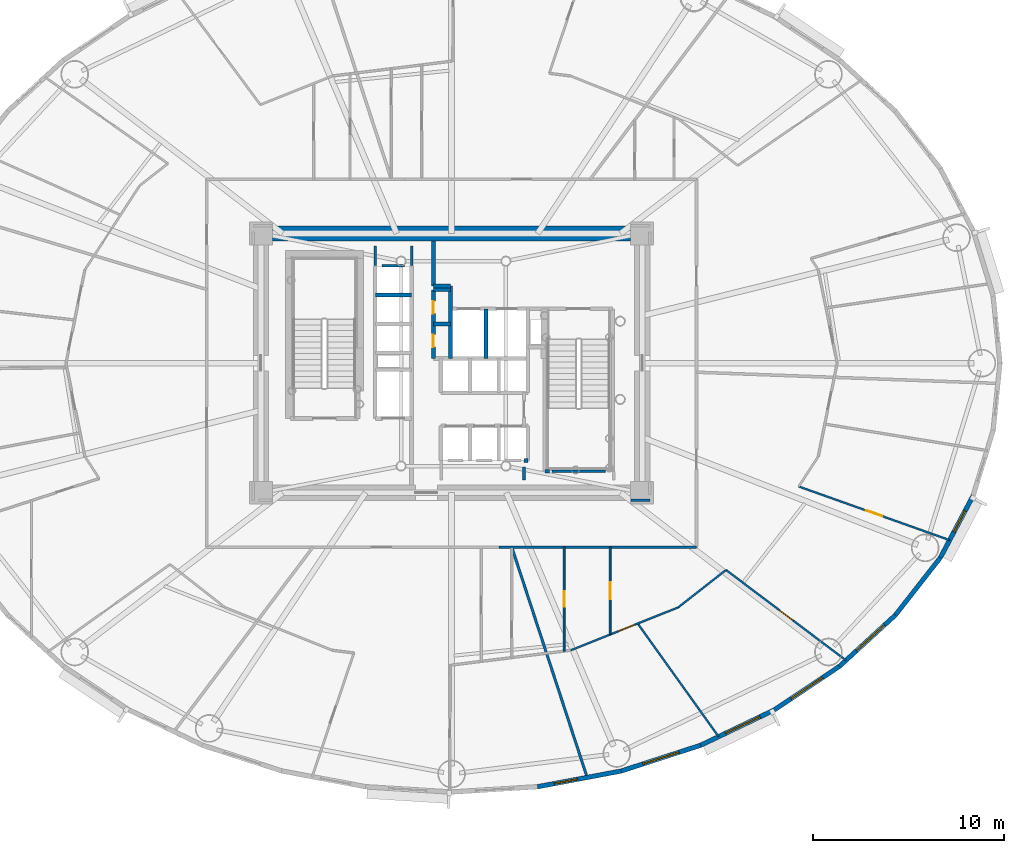
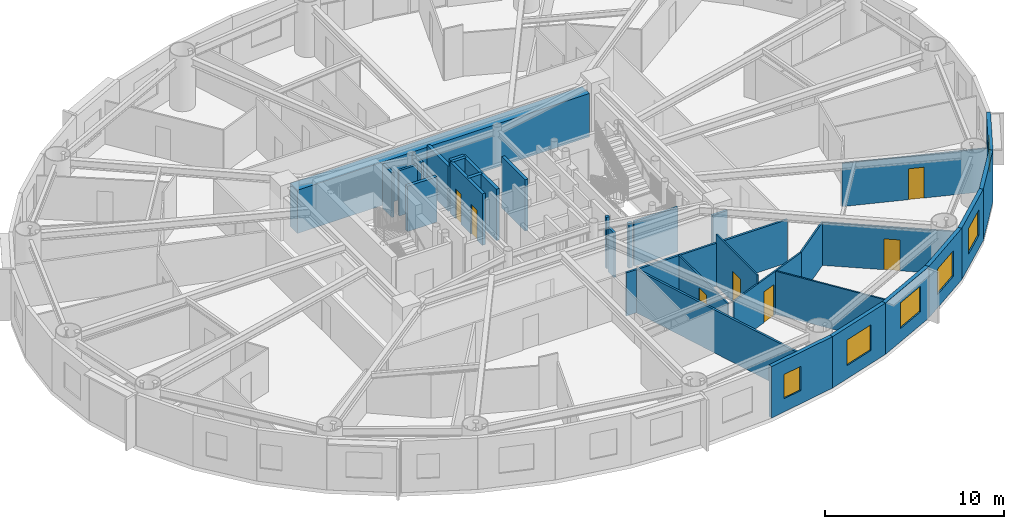
# One storey, part 8 of 16: 33 walls, 7 doors, 6 windows, 13 openings.
"""IFC4 building model written with IfcOpenShell, lengths in metres."""

from ifc_helpers import new_model, si_unit, direction, frame, frame_2d, origin, origin_2d, place, context, subcontext, project, spatial, rectangle, extrude, source, transform, mapped, material, layer, layer_set, type_object, element, fill, save


model = new_model("IFC4")

# Units and contexts
model_context = context("Model", 3, precision=1e-05, world=origin(), true_north=direction((0.0, 1.0)))
body_context = subcontext(model_context, "Body", "Model", "MODEL_VIEW")
ifc_project = project(units=[si_unit("LENGTHUNIT", "METRE"), si_unit("AREAUNIT", "SQUARE_METRE"), si_unit("VOLUMEUNIT", "CUBIC_METRE"), si_unit("PLANEANGLEUNIT", "RADIAN"), si_unit("MASSUNIT", "GRAM", prefix="KILO")], contexts=[model_context])

# Site, building, storey
site_placement = place(None, origin())
site = spatial("IfcSite", under=ifc_project, at=site_placement, CompositionType="ELEMENT")
building_placement = place(site_placement, origin())
building = spatial("IfcBuilding", under=site, at=building_placement, Name="Linh Dai School and Residence Tower", CompositionType="ELEMENT")
storey_placement = place(building_placement, frame((0.0, 0.0, 108.449951171875)))
storey = spatial("IfcBuildingStorey", under=building, at=storey_placement, Name="L25", CompositionType="ELEMENT", Elevation=108.449951171875)

# Wall, opening, window
ifc_material_1 = material(Name="Precast Concrete B45 (C35/45)", Category="concrete")
ifc_layer_1 = layer(ifc_material_1, 0.239990234375)
ifc_layer_set_1 = layer_set([ifc_layer_1], Name="Precast Concrete B45 (C35/45)")
wall_type_1 = type_object("IfcWallType", Name="EW-TC-240", PredefinedType="SOLIDWALL", material=ifc_layer_set_1)
wall_1_placement = place(storey_placement, frame((44.899658203125, 5.5986328125, 0.0), z_axis=(0.0, 0.0, 1.0), x_axis=(-0.982789252177, -0.184730305596, 0.0)))
wall_1 = element("IfcWall", 1, at=wall_1_placement, inside=storey, type_object=wall_type_1, Name="L25 Terracotta Exterior Wall 32", PredefinedType="SOLIDWALL", context=body_context, shape_type="SweptSolid", body=[
    extrude(rectangle(XDim=4.470947265625, YDim=0.239990234375, at=frame_2d((2.2353515625, 0.0))), origin(), (0.0, 0.0, 1.0), 3.5),
])
opening_1_placement = place(wall_1_placement, frame((2.332763671875, 0.0, 0.89990234375)))
opening_1 = element("IfcOpeningElement", 2, at=opening_1_placement, cuts=wall_1, Name="Opening W3", PredefinedType="OPENING", context=body_context, shape_type="SweptSolid", body=[
    extrude(rectangle(XDim=1.25, YDim=1.64990234375, at=origin_2d()), frame((0.625, 0.1298828125, 0.824951171875), z_axis=(0.0, -1.0, 0.0), x_axis=(1.0, 0.0, 0.0)), (0.0, 0.0, 1.0), 0.260009765625),
])
ifc_material_2 = material(Name="Double Low-E Insulated Glazing", Category="glass")
window_type_1 = type_object("IfcWindowType", Name="WN-RES-1250x1650", PartitioningType="SINGLE_PANEL", PredefinedType="WINDOW", material=ifc_material_2)
shared_shape_1 = source(origin(), body_context, "Body", "SweptSolid", [
    extrude(rectangle(XDim=1.25, YDim=1.64990234375, at=origin_2d()), frame((0.625, 0.030029296875, 0.824951171875), z_axis=(0.0, -1.0, 0.0), x_axis=(1.0, 0.0, 0.0)), (0.0, 0.0, 1.0), 0.06005859375),
])
window_1_placement = place(opening_1_placement, origin())
window_1 = element("IfcWindow", 3, at=window_1_placement, inside=storey, type_object=window_type_1, Name="L25 Exterior Window 32.1", OverallHeight=1.64990234375, OverallWidth=1.25, PartitioningType="SINGLE_PANEL", PredefinedType="WINDOW", context=body_context, shape_type="MappedRepresentation", body=[
    mapped(shared_shape_1, transform((0.0, 0.0, 0.0), x_axis=(1.0, 0.0, 0.0), y_axis=(0.0, 1.0, 0.0), z_axis=(0.0, 0.0, 1.0), scale=1.0)),
])
fill(opening_1, window_1)

wall_2_placement = place(storey_placement, frame((49.073974609375, 6.95263671875, 0.0), z_axis=(0.0, 0.0, 1.0), x_axis=(-0.951211346073, -0.308540070495, 0.0)))
wall_2 = element("IfcWall", 4, at=wall_2_placement, inside=storey, type_object=wall_type_1, Name="L25 Terracotta Exterior Wall 33", PredefinedType="SOLIDWALL", context=body_context, shape_type="SweptSolid", body=[
    extrude(rectangle(XDim=4.388427734375, YDim=0.239990234375, at=frame_2d((2.1943359375, 0.0))), origin(), (0.0, 0.0, 1.0), 3.5),
])
opening_2_placement = place(wall_2_placement, frame((1.1943359375, 0.0, 0.89990234375)))
opening_2 = element("IfcOpeningElement", 5, at=opening_2_placement, cuts=wall_2, Name="Opening W1", PredefinedType="OPENING", context=body_context, shape_type="SweptSolid", body=[
    extrude(rectangle(XDim=2.0, YDim=1.75, at=origin_2d()), frame((1.0, 0.1298828125, 0.875), z_axis=(0.0, -1.0, 0.0), x_axis=(1.0, 0.0, 0.0)), (0.0, 0.0, 1.0), 0.260009765625),
])
window_type_2 = type_object("IfcWindowType", Name="WN-RES-2000x1750", PartitioningType="DOUBLE_PANEL_VERTICAL", PredefinedType="WINDOW", material=ifc_material_2)
shared_shape_2 = source(origin(), body_context, "Body", "SweptSolid", [
    extrude(rectangle(XDim=2.0, YDim=1.75, at=origin_2d()), frame((1.0, 0.030029296875, 0.875), z_axis=(0.0, -1.0, 0.0), x_axis=(1.0, 0.0, 0.0)), (0.0, 0.0, 1.0), 0.06005859375),
])
window_2_placement = place(opening_2_placement, origin())
window_2 = element("IfcWindow", 6, at=window_2_placement, inside=storey, type_object=window_type_2, Name="L25 Exterior Window 33.1", OverallHeight=1.75, OverallWidth=2.0, PartitioningType="DOUBLE_PANEL_VERTICAL", PredefinedType="WINDOW", context=body_context, shape_type="MappedRepresentation", body=[
    mapped(shared_shape_2, transform((0.0, 0.0, 0.0), x_axis=(1.0, 0.0, 0.0), y_axis=(0.0, 1.0, 0.0), z_axis=(0.0, 0.0, 1.0), scale=1.0)),
])
fill(opening_2, window_2)

wall_3_placement = place(storey_placement, frame((52.92529296875, 8.800537109375, 0.0), z_axis=(0.0, 0.0, 1.0), x_axis=(-0.901589935876, -0.432591709962, 0.0)))
wall_3 = element("IfcWall", 7, at=wall_3_placement, inside=storey, type_object=wall_type_1, Name="L25 Terracotta Exterior Wall 34", PredefinedType="SOLIDWALL", context=body_context, shape_type="SweptSolid", body=[
    extrude(rectangle(XDim=4.271728515625, YDim=0.239990234375, at=frame_2d((2.1357421875, 0.0))), origin(), (0.0, 0.0, 1.0), 3.5),
])
opening_3_placement = place(wall_3_placement, frame((0.8212890625, 0.0, 0.89990234375)))
opening_3 = element("IfcOpeningElement", 8, at=opening_3_placement, cuts=wall_3, Name="Opening W1", PredefinedType="OPENING", context=body_context, shape_type="SweptSolid", body=[
    extrude(rectangle(XDim=2.0, YDim=1.75, at=origin_2d()), frame((1.0, 0.1298828125, 0.875), z_axis=(0.0, -1.0, 0.0), x_axis=(1.0, 0.0, 0.0)), (0.0, 0.0, 1.0), 0.260009765625),
])
window_3_placement = place(opening_3_placement, origin())
window_3 = element("IfcWindow", 9, at=window_3_placement, inside=storey, type_object=window_type_2, Name="L25 Exterior Window 34.1", OverallHeight=1.75, OverallWidth=2.0, PartitioningType="DOUBLE_PANEL_VERTICAL", PredefinedType="WINDOW", context=body_context, shape_type="MappedRepresentation", body=[
    mapped(shared_shape_2, transform((0.0, 0.0, 0.0), x_axis=(1.0, 0.0, 0.0), y_axis=(0.0, 1.0, 0.0), z_axis=(0.0, 0.0, 1.0), scale=1.0)),
])
fill(opening_3, window_3)

wall_4_placement = place(storey_placement, frame((56.3583984375, 11.0966796875, 0.0), z_axis=(0.0, 0.0, 1.0), x_axis=(-0.831221811447, -0.555940914284, 0.0)))
wall_4 = element("IfcWall", 10, at=wall_4_placement, inside=storey, type_object=wall_type_1, Name="L25 Terracotta Exterior Wall 35", PredefinedType="SOLIDWALL", context=body_context, shape_type="SweptSolid", body=[
    extrude(rectangle(XDim=4.130126953125, YDim=0.239990234375, at=frame_2d((2.06494140625, 0.0))), origin(), (0.0, 0.0, 1.0), 3.5),
])
opening_4_placement = place(wall_4_placement, frame((1.065185546875, 0.0, 0.89990234375)))
opening_4 = element("IfcOpeningElement", 11, at=opening_4_placement, cuts=wall_4, Name="Opening W1", PredefinedType="OPENING", context=body_context, shape_type="SweptSolid", body=[
    extrude(rectangle(XDim=2.0, YDim=1.75, at=origin_2d()), frame((1.0, 0.1298828125, 0.875), z_axis=(0.0, -1.0, 0.0), x_axis=(1.0, 0.0, 0.0)), (0.0, 0.0, 1.0), 0.260009765625),
])
window_4_placement = place(opening_4_placement, origin())
window_4 = element("IfcWindow", 12, at=window_4_placement, inside=storey, type_object=window_type_2, Name="L25 Exterior Window 35.1", OverallHeight=1.75, OverallWidth=2.0, PartitioningType="DOUBLE_PANEL_VERTICAL", PredefinedType="WINDOW", context=body_context, shape_type="MappedRepresentation", body=[
    mapped(shared_shape_2, transform((0.0, 0.0, 0.0), x_axis=(1.0, 0.0, 0.0), y_axis=(0.0, 1.0, 0.0), z_axis=(0.0, 0.0, 1.0), scale=1.0)),
])
fill(opening_4, window_4)

wall_5_placement = place(storey_placement, frame((59.2890625, 13.783447265625, 0.0), z_axis=(0.0, 0.0, 1.0), x_axis=(-0.737113356241, -0.675769117414, 0.0)))
wall_5 = element("IfcWall", 13, at=wall_5_placement, inside=storey, type_object=wall_type_1, Name="L25 Terracotta Exterior Wall 36", PredefinedType="SOLIDWALL", context=body_context, shape_type="SweptSolid", body=[
    extrude(rectangle(XDim=3.975830078125, YDim=0.239990234375, at=frame_2d((1.98779296875, 0.0))), origin(), (0.0, 0.0, 1.0), 3.5),
])
opening_5_placement = place(wall_5_placement, frame((0.776123046875, 0.0, 0.89990234375)))
opening_5 = element("IfcOpeningElement", 14, at=opening_5_placement, cuts=wall_5, Name="Opening W1", PredefinedType="OPENING", context=body_context, shape_type="SweptSolid", body=[
    extrude(rectangle(XDim=2.0, YDim=1.75, at=origin_2d()), frame((1.0, 0.1298828125, 0.875), z_axis=(0.0, -1.0, 0.0), x_axis=(1.0, 0.0, 0.0)), (0.0, 0.0, 1.0), 0.260009765625),
])
window_5_placement = place(opening_5_placement, origin())
window_5 = element("IfcWindow", 15, at=window_5_placement, inside=storey, type_object=window_type_2, Name="L25 Exterior Window 36.1", OverallHeight=1.75, OverallWidth=2.0, PartitioningType="DOUBLE_PANEL_VERTICAL", PredefinedType="WINDOW", context=body_context, shape_type="MappedRepresentation", body=[
    mapped(shared_shape_2, transform((0.0, 0.0, 0.0), x_axis=(1.0, 0.0, 0.0), y_axis=(0.0, 1.0, 0.0), z_axis=(0.0, 0.0, 1.0), scale=1.0)),
])
fill(opening_5, window_5)

# Wall
wall_6_placement = place(storey_placement, frame((61.645263671875, 16.79443359375, 0.0), z_axis=(0.0, 0.0, 1.0), x_axis=(-0.616272103517, -0.787533297345, 0.0)))
element("IfcWall", 16, at=wall_6_placement, inside=storey, type_object=wall_type_1, Name="L25 Terracotta Exterior Wall 37", PredefinedType="SOLIDWALL", context=body_context, shape_type="SweptSolid", body=[
    extrude(rectangle(XDim=3.8232421875, YDim=0.239990234375, at=frame_2d((1.91162109375, 0.0))), origin(), (0.0, 0.0, 1.0), 3.5),
])

# Wall, opening, window
wall_7_placement = place(storey_placement, frame((63.3701171875, 20.054931640625, 0.0), z_axis=(0.0, 0.0, 1.0), x_axis=(-0.467614004126, -0.883932770716, 0.0)))
wall_7 = element("IfcWall", 17, at=wall_7_placement, inside=storey, type_object=wall_type_1, Name="L25 Terracotta Exterior Wall 38", PredefinedType="SOLIDWALL", context=body_context, shape_type="SweptSolid", body=[
    extrude(rectangle(XDim=3.688720703125, YDim=0.239990234375, at=frame_2d((1.84423828125, 0.0))), origin(), (0.0, 0.0, 1.0), 3.5),
])
opening_6_placement = place(wall_7_placement, frame((0.90380859375, 0.0, 0.89990234375)))
opening_6 = element("IfcOpeningElement", 18, at=opening_6_placement, cuts=wall_7, Name="Opening W3", PredefinedType="OPENING", context=body_context, shape_type="SweptSolid", body=[
    extrude(rectangle(XDim=1.25, YDim=1.64990234375, at=origin_2d()), frame((0.625, 0.1298828125, 0.824951171875), z_axis=(0.0, -1.0, 0.0), x_axis=(1.0, 0.0, 0.0)), (0.0, 0.0, 1.0), 0.260009765625),
])
window_6_placement = place(opening_6_placement, origin())
window_6 = element("IfcWindow", 19, at=window_6_placement, inside=storey, type_object=window_type_1, Name="L25 Exterior Window 38.1", OverallHeight=1.64990234375, OverallWidth=1.25, PartitioningType="SINGLE_PANEL", PredefinedType="WINDOW", context=body_context, shape_type="MappedRepresentation", body=[
    mapped(shared_shape_1, transform((0.0, 0.0, 0.0), x_axis=(1.0, 0.0, 0.0), y_axis=(0.0, 1.0, 0.0), z_axis=(0.0, 0.0, 1.0), scale=1.0)),
])
fill(opening_6, window_6)

# Walls
ifc_material_3 = material(Name="Autoclaved Aerated Concrete Blockwork", Category="masonry")
ifc_layer_2 = layer(ifc_material_3, 0.135009765625)
ifc_layer_set_2 = layer_set([ifc_layer_2], Name="Autoclaved Aerated Concrete Blockwork")
wall_type_2 = type_object("IfcWallType", Name="IW-CORR-135-EI90", PredefinedType="PARTITIONING", material=ifc_layer_set_2)
wall_8_placement = place(storey_placement, frame((38.47705078125, 17.35009765625, 0.0), z_axis=(0.0, 0.0, 1.0), x_axis=(1.0, 0.0, 0.0)))
element("IfcWall", 20, at=wall_8_placement, inside=storey, type_object=wall_type_2, Name="L25 Interior Partition Wall 062", PredefinedType="PARTITIONING", context=body_context, shape_type="SweptSolid", body=[
    extrude(rectangle(XDim=10.373046875, YDim=0.135009765625, at=frame_2d((5.1865234375, 0.0))), origin(), (0.0, 0.0, 1.0), 2.93505859375),
])
wall_9_placement = place(storey_placement, frame((39.1748046875, 17.301025390625, 0.0), z_axis=(0.0, 0.0, 1.0), x_axis=(0.311090320612, -0.95038035145, 0.0)))
element("IfcWall", 21, at=wall_9_placement, inside=storey, type_object=wall_type_2, Name="L25 Interior Partition Wall 066", PredefinedType="PARTITIONING", context=body_context, shape_type="SweptSolid", body=[
    extrude(rectangle(XDim=12.671142578125, YDim=0.135009765625, at=frame_2d((6.33544921875, 0.0))), origin(), (0.0, 0.0, 1.0), 2.93505859375),
])
wall_10_placement = place(storey_placement, frame((44.080078125, 21.330078125, 0.0), z_axis=(0.0, 0.0, 1.0), x_axis=(-1.0, 0.0, 0.0)))
element("IfcWall", 22, at=wall_10_placement, inside=storey, type_object=wall_type_2, Name="L25 Interior Partition Wall 099", PredefinedType="PARTITIONING", context=body_context, shape_type="SweptSolid", body=[
    extrude(rectangle(XDim=2.820068359375, YDim=0.135009765625, at=frame_2d((1.41015625, 0.0))), origin(), (0.0, 0.0, 1.0), 3.03515625),
])
wall_11_placement = place(storey_placement, frame((32.360107421875, 32.10009765625, 0.0), z_axis=(0.0, 0.0, 1.0), x_axis=(1.0, 0.0, 0.0)))
element("IfcWall", 23, at=wall_11_placement, inside=storey, type_object=wall_type_2, Name="L25 Interior Partition Wall 103", PredefinedType="PARTITIONING", context=body_context, shape_type="SweptSolid", body=[
    extrude(rectangle(XDim=1.179931640625, YDim=0.135009765625, at=frame_2d((0.58984375, 0.0))), origin(), (0.0, 0.0, 1.0), 3.0849609375),
])
wall_12_placement = place(storey_placement, frame((39.800048828125, 20.860107421875, 0.0), z_axis=(0.0, 0.0, 1.0), x_axis=(0.0, 1.0, 0.0)))
element("IfcWall", 24, at=wall_12_placement, inside=storey, type_object=wall_type_2, Name="L25 Interior Partition Wall 104", PredefinedType="PARTITIONING", context=body_context, shape_type="SweptSolid", body=[
    extrude(rectangle(XDim=0.679931640625, YDim=0.135009765625, at=frame_2d((0.33984375, 0.0))), origin(), (0.0, 0.0, 1.0), 3.03515625),
])
wall_13_placement = place(storey_placement, frame((32.0, 33.139892578125, 0.0), z_axis=(0.0, 0.0, 1.0), x_axis=(0.0, -1.0, 0.0)))
element("IfcWall", 25, at=wall_13_placement, inside=storey, type_object=wall_type_2, Name="L25 Interior Partition Wall 105", PredefinedType="PARTITIONING", context=body_context, shape_type="SweptSolid", body=[
    extrude(rectangle(XDim=1.02978515625, YDim=0.135009765625, at=frame_2d((0.514892578125, 0.0))), origin(), (0.0, 0.0, 1.0), 3.03515625),
])
wall_14_placement = place(storey_placement, frame((33.89990234375, 32.110107421875, 0.0), z_axis=(0.0, 0.0, 1.0), x_axis=(0.0, 1.0, 0.0)))
element("IfcWall", 26, at=wall_14_placement, inside=storey, type_object=wall_type_2, Name="L25 Interior Partition Wall 108", PredefinedType="PARTITIONING", context=body_context, shape_type="SweptSolid", body=[
    extrude(rectangle(XDim=1.02978515625, YDim=0.135009765625, at=frame_2d((0.514892578125, 0.0))), origin(), (0.0, 0.0, 1.0), 3.0849609375),
])
wall_15_placement = place(storey_placement, frame((45.409912109375, 19.800048828125, 0.0), z_axis=(0.0, 0.0, 1.0), x_axis=(1.0, 0.0, 0.0)))
element("IfcWall", 27, at=wall_15_placement, inside=storey, type_object=wall_type_2, Name="L25 Interior Partition Wall 116", PredefinedType="PARTITIONING", context=body_context, shape_type="SweptSolid", body=[
    extrude(rectangle(XDim=0.989990234375, YDim=0.135009765625, at=frame_2d((0.4951171875, 0.0))), origin(), (0.0, 0.0, 1.0), 2.93505859375),
])
ifc_material_4 = material(Name="Concrete B45 (C35/45)", Category="concrete")
ifc_layer_3 = layer(ifc_material_4, 0.199951171875)
ifc_layer_set_3 = layer_set([ifc_layer_3], Name="Concrete B45 (C35/45)")
wall_type_3 = type_object("IfcWallType", Name="IW-SHAFT-200-EI120", PredefinedType="PARTITIONING", material=ifc_layer_set_3)
wall_16_placement = place(storey_placement, frame((32.0, 30.580078125, 0.0), z_axis=(0.0, 0.0, 1.0), x_axis=(1.0, 0.0, 0.0)))
element("IfcWall", 28, at=wall_16_placement, inside=storey, type_object=wall_type_3, Name="L25 Interior Partition Wall 038", PredefinedType="PARTITIONING", context=body_context, shape_type="SweptSolid", body=[
    extrude(rectangle(XDim=1.89990234375, YDim=0.199951171875, at=frame_2d((0.949951171875, 0.0))), origin(), (0.0, 0.0, 1.0), 3.0849609375),
])

# Wall, openings, doors
wall_17_placement = place(storey_placement, frame((35.050048828125, 27.25, 0.0), z_axis=(0.0, 0.0, 1.0), x_axis=(0.0, 1.0, 0.0)))
wall_17 = element("IfcWall", 29, at=wall_17_placement, inside=storey, type_object=wall_type_3, Name="L25 Interior Partition Wall 042", PredefinedType="PARTITIONING", context=body_context, shape_type="SweptSolid", body=[
    extrude(rectangle(XDim=3.60009765625, YDim=0.199951171875, at=frame_2d((1.800048828125, 0.0))), origin(), (0.0, 0.0, 1.0), 3.5),
])
opening_7_placement = place(wall_17_placement, frame((0.590087890625, 0.0, 0.0)))
opening_7 = element("IfcOpeningElement", 30, at=opening_7_placement, cuts=wall_17, Name="Opening AD1", PredefinedType="OPENING", context=body_context, shape_type="SweptSolid", body=[
    extrude(rectangle(XDim=0.659912109375, YDim=2.050048828125, at=origin_2d()), frame((0.330078125, 0.10986328125, 1.02490234375), z_axis=(0.0, -1.0, 0.0), x_axis=(1.0, 0.0, 0.0)), (0.0, 0.0, 1.0), 0.219970703125),
])
opening_8_placement = place(wall_17_placement, frame((2.35009765625, 0.0, 0.0)))
opening_8 = element("IfcOpeningElement", 31, at=opening_8_placement, cuts=wall_17, Name="Opening AD1", PredefinedType="OPENING", context=body_context, shape_type="SweptSolid", body=[
    extrude(rectangle(XDim=0.659912109375, YDim=2.050048828125, at=origin_2d()), frame((0.330078125, 0.10986328125, 1.02490234375), z_axis=(0.0, -1.0, 0.0), x_axis=(1.0, 0.0, 0.0)), (0.0, 0.0, 1.0), 0.219970703125),
])
ifc_material_5 = material(Name="Fire-Rated Steel Riser Access Door", Category="steel")
door_type_1 = type_object("IfcDoorType", Name="DR-ACC-660x2050-FD90S", OperationType="NOTDEFINED", PredefinedType="USERDEFINED", material=ifc_material_5)
shared_shape_3 = source(origin(), body_context, "Body", "SweptSolid", [
    extrude(rectangle(XDim=0.659912109375, YDim=2.050048828125, at=origin_2d()), frame((0.330078125, 0.02490234375, 1.02490234375), z_axis=(0.0, -1.0, 0.0), x_axis=(1.0, 0.0, 0.0)), (0.0, 0.0, 1.0), 0.050048828125),
])
door_1_placement = place(opening_7_placement, origin())
door_1 = element("IfcDoor", 32, at=door_1_placement, inside=storey, type_object=door_type_1, Name="L25 Telecom and Data Riser Access Door", ObjectType="ACCESS DOOR", OperationType="SINGLE_SWING_RIGHT", OverallHeight=2.050048828125, OverallWidth=0.659912109375, PredefinedType="USERDEFINED", context=body_context, shape_type="MappedRepresentation", body=[
    mapped(shared_shape_3, transform((0.0, 0.0, 0.0), x_axis=(1.0, 0.0, 0.0), y_axis=(0.0, 1.0, 0.0), z_axis=(0.0, 0.0, 1.0), scale=1.0)),
])
fill(opening_7, door_1)
door_2_placement = place(opening_8_placement, origin())
door_2 = element("IfcDoor", 33, at=door_2_placement, inside=storey, type_object=door_type_1, Name="L25 Mechanical and Plumbing Riser Access Door", ObjectType="ACCESS DOOR", OperationType="SINGLE_SWING_LEFT", OverallHeight=2.050048828125, OverallWidth=0.659912109375, PredefinedType="USERDEFINED", context=body_context, shape_type="MappedRepresentation", body=[
    mapped(shared_shape_3, transform((0.0, 0.0, 0.0), x_axis=(1.0, 0.0, 0.0), y_axis=(0.0, 1.0, 0.0), z_axis=(0.0, 0.0, 1.0), scale=1.0)),
])
fill(opening_8, door_2)

# Walls
for number, where, z_axis, x_axis, name in (
    (34, (35.050048828125, 29.050048828125, 0.0), (0.0, 0.0, 1.0), (1.0, 0.0, 0.0), "L25 Interior Partition Wall 044"),
    (35, (35.050048828125, 30.85009765625, 0.0), (0.0, 0.0, 1.0), (1.0, 0.0, 0.0), "L25 Interior Partition Wall 045"),
):
    element("IfcWall", number, at=place(storey_placement, frame(where, z_axis=z_axis, x_axis=x_axis)), inside=storey, type_object=wall_type_3, Name=name, PredefinedType="PARTITIONING", context=body_context, shape_type="SweptSolid", body=[
        extrude(rectangle(XDim=0.89990234375, YDim=0.199951171875, at=frame_2d((0.449951171875, 0.0))), origin(), (0.0, 0.0, 1.0), 3.5),
    ])
wall_18_placement = place(storey_placement, frame((35.050048828125, 31.050048828125, 0.0), z_axis=(0.0, 0.0, 1.0), x_axis=(0.0, 1.0, 0.0)))
element("IfcWall", 36, at=wall_18_placement, inside=storey, type_object=wall_type_3, Name="L25 Interior Partition Wall 046", PredefinedType="PARTITIONING", context=body_context, shape_type="SweptSolid", body=[
    extrude(rectangle(XDim=2.349853515625, YDim=0.199951171875, at=frame_2d((1.1748046875, 0.0))), origin(), (0.0, 0.0, 1.0), 3.0849609375),
])
wall_19_placement = place(storey_placement, frame((35.050048828125, 31.050048828125, 0.0), z_axis=(0.0, 0.0, 1.0), x_axis=(1.0, 0.0, 0.0)))
element("IfcWall", 37, at=wall_19_placement, inside=storey, type_object=wall_type_3, Name="L25 Interior Partition Wall 047", PredefinedType="PARTITIONING", context=body_context, shape_type="SweptSolid", body=[
    extrude(rectangle(XDim=0.89990234375, YDim=0.199951171875, at=frame_2d((0.449951171875, 0.0))), origin(), (0.0, 0.0, 1.0), 3.5),
])
wall_20_placement = place(storey_placement, frame((35.949951171875, 27.25, 0.0), z_axis=(0.0, 0.0, 1.0), x_axis=(0.0, 1.0, 0.0)))
element("IfcWall", 38, at=wall_20_placement, inside=storey, type_object=wall_type_3, Name="L25 Interior Partition Wall 053", PredefinedType="PARTITIONING", context=body_context, shape_type="SweptSolid", body=[
    extrude(rectangle(XDim=3.800048828125, YDim=0.199951171875, at=frame_2d((1.89990234375, 0.0))), origin(), (0.0, 0.0, 1.0), 3.5),
])
wall_21_placement = place(storey_placement, frame((37.800048828125, 27.25, 0.0), z_axis=(0.0, 0.0, 1.0), x_axis=(0.0, 1.0, 0.0)))
element("IfcWall", 39, at=wall_21_placement, inside=storey, type_object=wall_type_3, Name="L25 Interior Partition Wall 061", PredefinedType="PARTITIONING", context=body_context, shape_type="SweptSolid", body=[
    extrude(rectangle(XDim=2.60009765625, YDim=0.199951171875, at=frame_2d((1.300048828125, 0.0))), origin(), (0.0, 0.0, 1.0), 3.5),
])
wall_22_placement = place(storey_placement, frame((39.800048828125, 21.89990234375, 0.0), z_axis=(0.0, 0.0, 1.0), x_axis=(1.0, 0.0, 0.0)))
element("IfcWall", 40, at=wall_22_placement, inside=storey, type_object=wall_type_3, Name="L25 Interior Partition Wall 067", PredefinedType="PARTITIONING", context=body_context, shape_type="SweptSolid", body=[
    extrude(rectangle(XDim=0.199951171875, YDim=0.199951171875, at=frame_2d((0.10009765625, 0.0))), origin(), (0.0, 0.0, 1.0), 3.5),
])
wall_23_placement = place(storey_placement, frame((40.89990234375, 21.330078125, 0.0), z_axis=(0.0, 0.0, 1.0), x_axis=(1.0, 0.0, 0.0)))
element("IfcWall", 41, at=wall_23_placement, inside=storey, type_object=wall_type_3, Name="L25 Interior Partition Wall 073", PredefinedType="PARTITIONING", context=body_context, shape_type="SweptSolid", body=[
    extrude(rectangle(XDim=0.25, YDim=0.199951171875, at=frame_2d((0.125, 0.0))), origin(), (0.0, 0.0, 1.0), 3.03515625),
])

# Wall, opening, door
ifc_material_6 = material(Name="Gypsum Plasterboard Acoustic Stud Partition", Category="masonry")
ifc_layer_4 = layer(ifc_material_6, 0.10009765625)
ifc_layer_set_4 = layer_set([ifc_layer_4], Name="Gypsum Plasterboard Acoustic Stud Partition")
wall_type_4 = type_object("IfcWallType", Name="IW-UNIT-100", PredefinedType="PARTITIONING", material=ifc_layer_set_4)
wall_24_placement = place(storey_placement, frame((41.9013671875, 11.890869140625, 0.0), z_axis=(0.0, 0.0, 1.0), x_axis=(0.0, 1.0, 0.0)))
wall_24 = element("IfcWall", 42, at=wall_24_placement, inside=storey, type_object=wall_type_4, Name="L25 Interior Partition Wall 076", PredefinedType="PARTITIONING", context=body_context, shape_type="SweptSolid", body=[
    extrude(rectangle(XDim=5.459228515625, YDim=0.10009765625, at=frame_2d((2.7294921875, 0.0))), origin(), (0.0, 0.0, 1.0), 2.93505859375),
])
opening_9_placement = place(wall_24_placement, frame((2.319580078125, 0.0, 0.0)))
opening_9 = element("IfcOpeningElement", 43, at=opening_9_placement, cuts=wall_24, Name="Opening D06", PredefinedType="OPENING", context=body_context, shape_type="SweptSolid", body=[
    extrude(rectangle(XDim=0.820068359375, YDim=2.10009765625, at=origin_2d()), frame((0.41015625, 0.06005859375, 1.050048828125), z_axis=(0.0, -1.0, 0.0), x_axis=(1.0, 0.0, 0.0)), (0.0, 0.0, 1.0), 0.1201171875),
])
ifc_material_7 = material(Name="Moisture-Resistant Timber Bathroom Door", Category="wood")
door_type_2 = type_object("IfcDoorType", Name="DR-WET-820x2100", OperationType="NOTDEFINED", PredefinedType="DOOR", material=ifc_material_7)
shared_shape_4 = source(origin(), body_context, "Body", "SweptSolid", [
    extrude(rectangle(XDim=0.820068359375, YDim=2.10009765625, at=origin_2d()), frame((0.41015625, 0.02490234375, 1.050048828125), z_axis=(0.0, -1.0, 0.0), x_axis=(1.0, 0.0, 0.0)), (0.0, 0.0, 1.0), 0.050048828125),
])
door_3_placement = place(opening_9_placement, origin())
door_3 = element("IfcDoor", 44, at=door_3_placement, inside=storey, type_object=door_type_2, Name="L25 Apartment U2505 Bathroom 1 Door", OperationType="SINGLE_SWING_LEFT", OverallHeight=2.10009765625, OverallWidth=0.820068359375, PredefinedType="DOOR", context=body_context, shape_type="MappedRepresentation", body=[
    mapped(shared_shape_4, transform((0.0, 0.0, 0.0), x_axis=(1.0, 0.0, 0.0), y_axis=(0.0, 1.0, 0.0), z_axis=(0.0, 0.0, 1.0), scale=1.0)),
])
fill(opening_9, door_3)

wall_25_placement = place(storey_placement, frame((42.25146484375, 11.934326171875, 0.0), z_axis=(0.0, 0.0, 1.0), x_axis=(0.928803554156, 0.370572473055, 0.0)))
wall_25 = element("IfcWall", 45, at=wall_25_placement, inside=storey, type_object=wall_type_4, Name="L25 Interior Partition Wall 077", PredefinedType="PARTITIONING", context=body_context, shape_type="SweptSolid", body=[
    extrude(rectangle(XDim=6.07177734375, YDim=0.10009765625, at=frame_2d((3.035888671875, 0.0))), origin(), (0.0, 0.0, 1.0), 2.93505859375),
])
opening_10_placement = place(wall_25_placement, frame((2.705078125, 0.0, 0.0)))
opening_10 = element("IfcOpeningElement", 46, at=opening_10_placement, cuts=wall_25, Name="Opening D05", PredefinedType="OPENING", context=body_context, shape_type="SweptSolid", body=[
    extrude(rectangle(XDim=0.89990234375, YDim=2.10009765625, at=origin_2d()), frame((0.449951171875, 0.06005859375, 1.050048828125), z_axis=(0.0, -1.0, 0.0), x_axis=(1.0, 0.0, 0.0)), (0.0, 0.0, 1.0), 0.1201171875),
])
ifc_material_8 = material(Name="Engineered Timber Internal Door", Category="wood")
door_type_3 = type_object("IfcDoorType", Name="DR-INT-900x2100", OperationType="NOTDEFINED", PredefinedType="DOOR", material=ifc_material_8)
shared_shape_5 = source(origin(), body_context, "Body", "SweptSolid", [
    extrude(rectangle(XDim=0.89990234375, YDim=2.10009765625, at=origin_2d()), frame((0.449951171875, 0.02490234375, 1.050048828125), z_axis=(0.0, -1.0, 0.0), x_axis=(1.0, 0.0, 0.0)), (0.0, 0.0, 1.0), 0.050048828125),
])
door_4_placement = place(opening_10_placement, origin())
door_4 = element("IfcDoor", 47, at=door_4_placement, inside=storey, type_object=door_type_3, Name="L25 Apartment U2505 Principal Bedroom 1 Door", OperationType="SINGLE_SWING_RIGHT", OverallHeight=2.10009765625, OverallWidth=0.89990234375, PredefinedType="DOOR", context=body_context, shape_type="MappedRepresentation", body=[
    mapped(shared_shape_5, transform((0.0, 0.0, 0.0), x_axis=(1.0, 0.0, 0.0), y_axis=(0.0, 1.0, 0.0), z_axis=(0.0, 0.0, 1.0), scale=1.0)),
])
fill(opening_10, door_4)

wall_26_placement = place(storey_placement, frame((44.314697265625, 12.757568359375, 0.0), z_axis=(0.0, 0.0, 1.0), x_axis=(0.0, 1.0, 0.0)))
wall_26 = element("IfcWall", 48, at=wall_26_placement, inside=storey, type_object=wall_type_4, Name="L25 Interior Partition Wall 080", PredefinedType="PARTITIONING", context=body_context, shape_type="SweptSolid", body=[
    extrude(rectangle(XDim=4.592529296875, YDim=0.10009765625, at=frame_2d((2.29638671875, 0.0))), origin(), (0.0, 0.0, 1.0), 3.5),
])
opening_11_placement = place(wall_26_placement, frame((1.84619140625, 0.0, 0.0)))
opening_11 = element("IfcOpeningElement", 49, at=opening_11_placement, cuts=wall_26, Name="Opening D05", PredefinedType="OPENING", context=body_context, shape_type="SweptSolid", body=[
    extrude(rectangle(XDim=0.89990234375, YDim=2.10009765625, at=origin_2d()), frame((0.449951171875, 0.06005859375, 1.050048828125), z_axis=(0.0, -1.0, 0.0), x_axis=(1.0, 0.0, 0.0)), (0.0, 0.0, 1.0), 0.1201171875),
])
door_5_placement = place(opening_11_placement, origin())
door_5 = element("IfcDoor", 50, at=door_5_placement, inside=storey, type_object=door_type_3, Name="L25 Apartment U2505 Kitchen Door", OperationType="SINGLE_SWING_RIGHT", OverallHeight=2.10009765625, OverallWidth=0.89990234375, PredefinedType="DOOR", context=body_context, shape_type="MappedRepresentation", body=[
    mapped(shared_shape_5, transform((0.0, 0.0, 0.0), x_axis=(1.0, 0.0, 0.0), y_axis=(0.0, 1.0, 0.0), z_axis=(0.0, 0.0, 1.0), scale=1.0)),
])
fill(opening_11, door_5)

# Walls
wall_27_placement = place(storey_placement, frame((45.76806640625, 13.33740234375, 0.0), z_axis=(0.0, 0.0, 1.0), x_axis=(0.581582931767, -0.813487119429, 0.0)))
element("IfcWall", 51, at=wall_27_placement, inside=storey, type_object=wall_type_4, Name="L25 Interior Partition Wall 083", PredefinedType="PARTITIONING", context=body_context, shape_type="SweptSolid", body=[
    extrude(rectangle(XDim=7.301025390625, YDim=0.10009765625, at=frame_2d((3.650390625, 0.0))), origin(), (0.0, 0.0, 1.0), 2.93505859375),
])
wall_28_placement = place(storey_placement, frame((47.890869140625, 14.184326171875, 0.0), z_axis=(0.0, 0.0, 1.0), x_axis=(0.787351391371, 0.616504490256, 0.0)))
element("IfcWall", 52, at=wall_28_placement, inside=storey, type_object=wall_type_4, Name="L25 Interior Partition Wall 085", PredefinedType="PARTITIONING", context=body_context, shape_type="SweptSolid", body=[
    extrude(rectangle(XDim=3.186767578125, YDim=0.10009765625, at=frame_2d((1.59326171875, 0.0))), origin(), (0.0, 0.0, 1.0), 2.93505859375),
])

# Wall, opening, door
wall_29_placement = place(storey_placement, frame((50.39990234375, 16.14892578125, 0.0), z_axis=(0.0, 0.0, 1.0), x_axis=(0.79862729849, -0.601825920102, 0.0)))
wall_29 = element("IfcWall", 53, at=wall_29_placement, inside=storey, type_object=wall_type_4, Name="L25 Interior Partition Wall 089", PredefinedType="PARTITIONING", context=body_context, shape_type="SweptSolid", body=[
    extrude(rectangle(XDim=7.887451171875, YDim=0.10009765625, at=frame_2d((3.94384765625, 0.0))), origin(), (0.0, 0.0, 1.0), 2.93505859375),
])
opening_12_placement = place(wall_29_placement, frame((3.49365234375, 0.0, 0.0)))
opening_12 = element("IfcOpeningElement", 54, at=opening_12_placement, cuts=wall_29, Name="Opening D05", PredefinedType="OPENING", context=body_context, shape_type="SweptSolid", body=[
    extrude(rectangle(XDim=0.89990234375, YDim=2.10009765625, at=origin_2d()), frame((0.449951171875, 0.06005859375, 1.050048828125), z_axis=(0.0, -1.0, 0.0), x_axis=(1.0, 0.0, 0.0)), (0.0, 0.0, 1.0), 0.1201171875),
])
door_6_placement = place(opening_12_placement, origin())
door_6 = element("IfcDoor", 55, at=door_6_placement, inside=storey, type_object=door_type_3, Name="L25 Apartment U2505 Principal Bedroom 2 Door", OperationType="SINGLE_SWING_LEFT", OverallHeight=2.10009765625, OverallWidth=0.89990234375, PredefinedType="DOOR", context=body_context, shape_type="MappedRepresentation", body=[
    mapped(shared_shape_5, transform((0.0, 0.0, 0.0), x_axis=(1.0, 0.0, 0.0), y_axis=(0.0, 1.0, 0.0), z_axis=(0.0, 0.0, 1.0), scale=1.0)),
])
fill(opening_12, door_6)

wall_30_placement = place(storey_placement, frame((54.213623046875, 20.52783203125, 0.0), z_axis=(0.0, 0.0, 1.0), x_axis=(0.942277402903, -0.334833236073, 0.0)))
wall_30 = element("IfcWall", 56, at=wall_30_placement, inside=storey, type_object=wall_type_4, Name="L25 Interior Partition Wall 092", PredefinedType="PARTITIONING", context=body_context, shape_type="SweptSolid", body=[
    extrude(rectangle(XDim=8.408447265625, YDim=0.10009765625, at=frame_2d((4.2041015625, 0.0))), origin(), (0.0, 0.0, 1.0), 2.93505859375),
])
opening_13_placement = place(wall_30_placement, frame((3.754150390625, 0.0, 0.0)))
opening_13 = element("IfcOpeningElement", 57, at=opening_13_placement, cuts=wall_30, Name="Opening D05", PredefinedType="OPENING", context=body_context, shape_type="SweptSolid", body=[
    extrude(rectangle(XDim=0.89990234375, YDim=2.10009765625, at=origin_2d()), frame((0.449951171875, 0.06005859375, 1.050048828125), z_axis=(0.0, -1.0, 0.0), x_axis=(1.0, 0.0, 0.0)), (0.0, 0.0, 1.0), 0.1201171875),
])
door_7_placement = place(opening_13_placement, origin())
door_7 = element("IfcDoor", 58, at=door_7_placement, inside=storey, type_object=door_type_3, Name="L25 Apartment U2505 Principal Bedroom 3 Door", OperationType="SINGLE_SWING_RIGHT", OverallHeight=2.10009765625, OverallWidth=0.89990234375, PredefinedType="DOOR", context=body_context, shape_type="MappedRepresentation", body=[
    mapped(shared_shape_5, transform((0.0, 0.0, 0.0), x_axis=(1.0, 0.0, 0.0), y_axis=(0.0, 1.0, 0.0), z_axis=(0.0, 0.0, 1.0), scale=1.0)),
])
fill(opening_13, door_7)

# Wall
ifc_material_9 = material(Name="Concrete B60 (C50/60)", Category="concrete")
ifc_layer_5 = layer(ifc_material_9, 0.800048828125)
ifc_layer_set_5 = layer_set([ifc_layer_5], Name="Concrete B60 (C50/60)")
wall_type_5 = type_object("IfcWallType", Name="WL-CORE800", PredefinedType="SHEAR", material=ifc_layer_set_5)
wall_31_placement = place(storey_placement, frame((26.60009765625, 33.800048828125, 0.0), z_axis=(0.0, 0.0, 1.0), x_axis=(1.0, 0.0, 0.0)))
element("IfcWall", 59, at=wall_31_placement, inside=storey, type_object=wall_type_5, Name="L25 Central Core Shear Wall N", PredefinedType="SHEAR", context=body_context, shape_type="SweptSolid", body=[
    extrude(rectangle(XDim=18.7998046875, YDim=0.800048828125, at=frame_2d((9.39990234375, 0.0))), origin(), (0.0, 0.0, 1.0), 2.949951171875),
])

save(model, "model.ifc")
